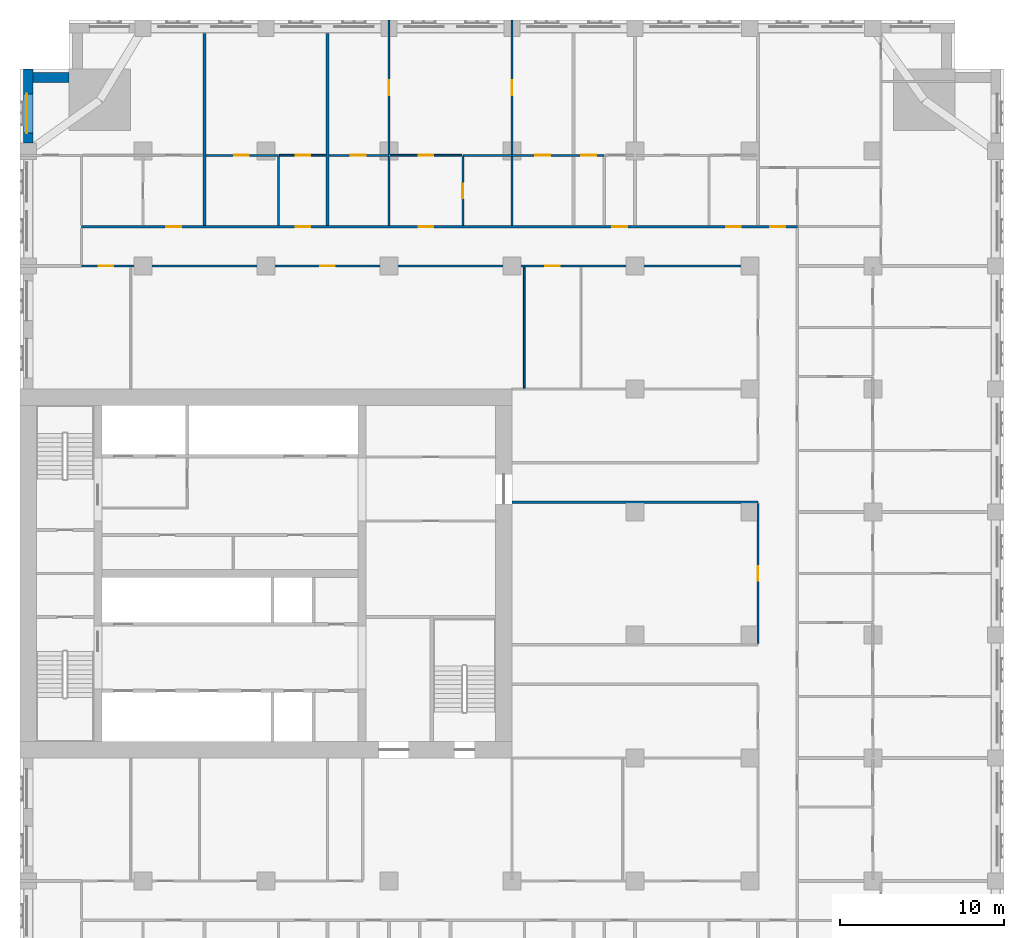
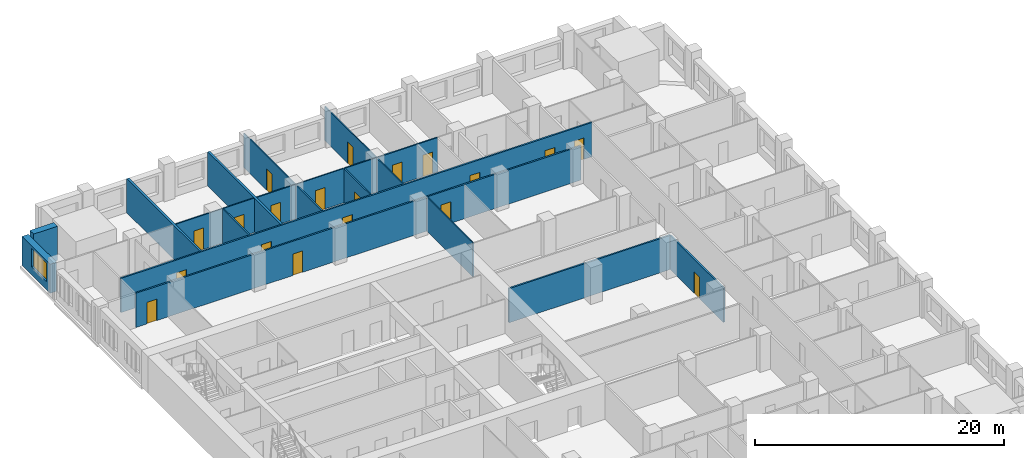
# One storey, part 9 of 14: 20 walls, 19 doors, 1 window, 20 openings.
"""IFC4 building model written with IfcOpenShell, lengths in metres."""

import ifcopenshell
import ifcopenshell.guid

model = None  # the IFC model being written
_history = None  # IfcOwnerHistory: only IFC2X3 demands one
_inside = {}  # id of a spatial element -> (the spatial element, [elements in it])
_under = {}  # id of a project, library or spatial element -> (it, [spatial elements below it])
_declared = {}  # id of a project -> (the project, [libraries it declares])
_typed = {}  # id of a type object -> (the type object, [elements of that type])
_made_of = {}  # id of a material, layer set ... -> (it, [elements and type objects made of it])


def new_model(schema):
    """Start an empty IFC model of exactly this schema.

    Asked for "IFC4X3", IfcOpenShell would pick the latest addendum, in which some entities
    have other attributes; the version numbers below select the first issue.
    IFC2X3 requires an IfcOwnerHistory on every rooted entity: one is made here for all.
    """
    global model, _history
    if schema == "IFC4X3":
        model = ifcopenshell.file(schema_version=(4, 3, 0, 0))
    else:
        model = ifcopenshell.file(schema=schema)
    _inside.clear()
    _under.clear()
    _declared.clear()
    _typed.clear()
    _made_of.clear()
    _history = None
    if model.schema == "IFC2X3":
        org = make("IfcOrganization", Name="unknown")
        user = make(
            "IfcPersonAndOrganization",
            ThePerson=make("IfcPerson", FamilyName="unknown"),
            TheOrganization=org,
        )
        app = make(
            "IfcApplication",
            ApplicationDeveloper=org,
            Version="unknown",
            ApplicationFullName="unknown",
            ApplicationIdentifier="unknown",
        )
        _history = make(
            "IfcOwnerHistory",
            OwningUser=user,
            OwningApplication=app,
            ChangeAction="ADDED",
            CreationDate=0,
        )
    return model


def make(cls, **values):
    """One entity of the class cls with the attributes given. An attribute that is None is left unset."""
    return model.create_entity(
        cls, **{name: value for name, value in values.items() if value is not None}
    )


def rooted(cls, **values):
    """An entity with a GlobalId (a new one), such as an element, a storey or a relation."""
    return make(cls, GlobalId=ifcopenshell.guid.new(), OwnerHistory=_history, **values)


def si_unit(unit_type, name, prefix=None):
    """IfcSIUnit, for example si_unit("LENGTHUNIT", "METRE", prefix="MILLI")."""
    return make("IfcSIUnit", UnitType=unit_type, Prefix=prefix, Name=name)


def assignment(units):
    """IfcUnitAssignment: the units of a project."""
    return None if units is None else make("IfcUnitAssignment", Units=units)


def point(xyz):
    """IfcCartesianPoint."""
    return None if xyz is None else make("IfcCartesianPoint", Coordinates=xyz)


def direction(xyz):
    """IfcDirection."""
    return None if xyz is None else make("IfcDirection", DirectionRatios=xyz)


def frame(location, z_axis=None, x_axis=None):
    """IfcAxis2Placement3D, a coordinate frame: its origin and axes. An axis left out is left unset."""
    return make(
        "IfcAxis2Placement3D",
        Location=point(location),
        Axis=direction(z_axis),
        RefDirection=direction(x_axis),
    )


def frame_2d(location, x_axis=None):
    """IfcAxis2Placement2D, a coordinate frame in the plane: its origin and x axis."""
    return make(
        "IfcAxis2Placement2D", Location=point(location), RefDirection=direction(x_axis)
    )


def origin():
    """The frame at (0, 0, 0) with its axes left unset."""
    return frame((0.0, 0.0, 0.0))


def place(relative_to, where):
    """IfcLocalPlacement: puts the frame where relative to a parent placement (None: the world)."""
    return make(
        "IfcLocalPlacement", PlacementRelTo=relative_to, RelativePlacement=where
    )


def context(
    kind, dimensions, precision=None, world=None, true_north=None, identifier=None
):
    """IfcGeometricRepresentationContext, for example the 3D "Model" context."""
    return make(
        "IfcGeometricRepresentationContext",
        ContextIdentifier=identifier,
        ContextType=kind,
        CoordinateSpaceDimension=dimensions,
        Precision=precision,
        WorldCoordinateSystem=world,
        TrueNorth=true_north,
    )


def subcontext(parent, identifier, kind, view, scale=None):
    """IfcGeometricRepresentationSubContext, for example "Body" below "Model"."""
    return make(
        "IfcGeometricRepresentationSubContext",
        ContextIdentifier=identifier,
        ContextType=kind,
        ParentContext=parent,
        TargetScale=scale,
        TargetView=view,
    )


def project(units=None, contexts=None):
    """IfcProject with its units and contexts."""
    return rooted(
        "IfcProject",
        Name="project",
        RepresentationContexts=contexts,
        UnitsInContext=assignment(units),
    )


def spatial(cls, under=None, at=None, **own):
    """A site, building, storey or space (cls), placed at a placement, below another one or the project."""
    s = rooted(cls, ObjectPlacement=at, **own)
    if under is not None:
        _under.setdefault(under.id(), (under, []))[1].append(s)
    return s


def profile(cls, at=None, kind="AREA", **sizes):
    """A parametric profile (cls). Its sizes go by their IFC names, for example OverallWidth=200.0."""
    return make(cls, ProfileType=kind, Position=at, **sizes)


def rectangle(**sizes):
    """IfcRectangleProfileDef."""
    return profile("IfcRectangleProfileDef", **sizes)


def extrude(swept, where, along, depth):
    """IfcExtrudedAreaSolid: the profile swept, set in the frame where, extruded along a direction by depth."""
    return make(
        "IfcExtrudedAreaSolid",
        SweptArea=swept,
        Position=where,
        ExtrudedDirection=direction(along),
        Depth=depth,
    )


def shape(context_of_items, identifier, shape_type, items):
    """IfcShapeRepresentation: the items that make up one representation, for example the "Body"."""
    return make(
        "IfcShapeRepresentation",
        ContextOfItems=context_of_items,
        RepresentationIdentifier=identifier,
        RepresentationType=shape_type,
        Items=items,
    )


def material(Name=None, Category=None):
    """IfcMaterial."""
    return make("IfcMaterial", Name=Name, Category=Category)


def layer(
    of_material, thickness, ventilated=None, Name=None, Category=None, Priority=None
):
    """IfcMaterialLayer: one layer of a wall or slab, of a material (None: an air gap)."""
    return make(
        "IfcMaterialLayer",
        Material=of_material,
        LayerThickness=thickness,
        IsVentilated=ventilated,
        Name=Name,
        Category=Category,
        Priority=Priority,
    )


def layer_set(layers, Name=None):
    """IfcMaterialLayerSet."""
    return make("IfcMaterialLayerSet", MaterialLayers=layers, LayerSetName=Name)


def made_of(thing, what):
    """Note that an element or type object is made of a material, layer set ...; save() writes the relation."""
    if what is not None:
        _made_of.setdefault(what.id(), (what, []))[1].append(thing)
    return thing


def type_object(cls, material=None, **own):
    """A type object (cls), such as IfcWallType, which elements share."""
    return made_of(rooted(cls, **own), material)


def element(
    cls,
    number,
    at=None,
    inside=None,
    cuts=None,
    type_object=None,
    material=None,
    context=None,
    identifier="Body",
    shape_type=None,
    held_by="IfcProductDefinitionShape",
    body=None,
    shapes=None,
    **own,
):
    """One element of the class cls, such as IfcWall. Its Tag is "e" and its number.

    at: its placement. inside: the storey or other place that contains it. cuts: it is an
    opening in that element (IfcRelVoidsElement). A single representation is given by context,
    identifier, shape_type and body (its items); several are given by shapes. held_by: the class
    of the entity that holds the representations. save() writes the other relations.
    """
    e = rooted(cls, Tag="e%d" % number, ObjectPlacement=at, **own)
    if body is not None:
        shapes = [shape(context, identifier, shape_type, body)]
    if shapes is not None:
        e.Representation = make(held_by, Representations=shapes)
    if inside is not None:
        _inside.setdefault(inside.id(), (inside, []))[1].append(e)
    if cuts is not None:
        rooted(
            "IfcRelVoidsElement", RelatingBuildingElement=cuts, RelatedOpeningElement=e
        )
    if type_object is not None:
        _typed.setdefault(type_object.id(), (type_object, []))[1].append(e)
    return made_of(e, material)


def fill(opening, filler):
    """IfcRelFillsElement: the door or window that sits in an opening."""
    return rooted(
        "IfcRelFillsElement",
        RelatingOpeningElement=opening,
        RelatedBuildingElement=filler,
    )


def aggregate(whole, parts):
    """IfcRelAggregates: a whole, such as a stair, and the parts it consists of."""
    return rooted("IfcRelAggregates", RelatingObject=whole, RelatedObjects=parts)


def save(model, path):
    """Write the relations noted so far, then the file.

    IfcRelAggregates (storeys below a building ...), IfcRelContainedInSpatialStructure (elements
    in a storey), IfcRelDefinesByType, IfcRelAssociatesMaterial and IfcRelDeclares: one each for
    every whole, place, type object, material and project.
    """
    for whole, parts in _under.values():
        aggregate(whole, parts)
    for where, things in _inside.values():
        rooted(
            "IfcRelContainedInSpatialStructure",
            RelatedElements=things,
            RelatingStructure=where,
        )
    for kind, things in _typed.values():
        rooted("IfcRelDefinesByType", RelatedObjects=things, RelatingType=kind)
    for what, things in _made_of.values():
        rooted("IfcRelAssociatesMaterial", RelatedObjects=things, RelatingMaterial=what)
    for by, libraries in _declared.values():
        rooted("IfcRelDeclares", RelatingContext=by, RelatedDefinitions=libraries)
    model.write(path)


model = new_model("IFC4")

# Units and contexts
model_context = context("Model", 3, precision=1e-05, world=origin(), true_north=direction((0.0, 1.0)))
body_context = subcontext(model_context, "Body", "Model", "MODEL_VIEW")
ifc_project = project(units=[si_unit("LENGTHUNIT", "METRE"), si_unit("AREAUNIT", "SQUARE_METRE"), si_unit("VOLUMEUNIT", "CUBIC_METRE"), si_unit("PLANEANGLEUNIT", "RADIAN"), si_unit("MASSUNIT", "GRAM", prefix="KILO")], contexts=[model_context])

# Site, building, storey
site_placement = place(None, origin())
site = spatial("IfcSite", under=ifc_project, at=site_placement, CompositionType="ELEMENT")
building_placement = place(site_placement, origin())
building = spatial("IfcBuilding", under=site, at=building_placement, Name="Tamorin Gate", CompositionType="ELEMENT")
storey_placement = place(building_placement, frame((0.0, 0.0, 89.89990234375)))
storey = spatial("IfcBuildingStorey", under=building, at=storey_placement, Name="L21", CompositionType="ELEMENT", Elevation=89.89990234375)

# Wall
ifc_material_1 = material(Name="Precast concrete C40/50", Category="concrete")
ifc_layer_1 = layer(ifc_material_1, 0.60009765625)
ifc_layer_set_1 = layer_set([ifc_layer_1], Name="Precast concrete C40/50")
wall_type_1 = type_object("IfcWallType", Name="Board-marked concrete facade panel 600", PredefinedType="SOLIDWALL", material=ifc_layer_set_1)
wall_1_placement = place(storey_placement, frame((33.0, 101.5, 0.0), z_axis=(0.0, 0.0, 1.0), x_axis=(-1.0, 0.0, 0.0)))
element("IfcWall", 1, at=wall_1_placement, inside=storey, type_object=wall_type_1, Name="Facade panel", PredefinedType="SOLIDWALL", context=body_context, shape_type="SweptSolid", body=[
    extrude(rectangle(XDim=2.199951171875, YDim=0.60009765625, at=frame_2d((1.10009765625, 0.0))), origin(), (0.0, 0.0, 1.0), 3.35009765625),
])

# Wall, opening, window
wall_2_placement = place(storey_placement, frame((30.5, 102.0, 0.0), z_axis=(0.0, 0.0, 1.0), x_axis=(0.0, -1.0, 0.0)))
wall_2 = element("IfcWall", 2, at=wall_2_placement, inside=storey, type_object=wall_type_1, Name="Facade panel", PredefinedType="SOLIDWALL", context=body_context, shape_type="SweptSolid", body=[
    extrude(rectangle(XDim=4.5, YDim=0.60009765625, at=frame_2d((2.25, 0.0))), origin(), (0.0, 0.0, 1.0), 2.85009765625),
])
opening_1_placement = place(wall_2_placement, frame((1.5, 0.0, 0.800048828125)))
opening_1 = element("IfcOpeningElement", 3, at=opening_1_placement, cuts=wall_2, Name="Opening WN1", PredefinedType="OPENING", context=body_context, shape_type="SweptSolid", body=[
    extrude(rectangle(XDim=2.39990234375, YDim=1.800048828125, at=frame_2d((1.199951171875, 0.89990234375))), frame((0.0, 0.31005859375, 0.0), z_axis=(0.0, -1.0, 0.0), x_axis=(1.0, 0.0, 0.0)), (0.0, 0.0, 1.0), 0.6201171875),
])
ifc_material_2 = material(Name="Clear glass in aluminium frame", Category="aluminium")
window_type = type_object("IfcWindowType", Name="Deep-set window 2400x1800", PartitioningType="SINGLE_PANEL", PredefinedType="WINDOW", material=ifc_material_2)
window_placement = place(opening_1_placement, origin())
window = element("IfcWindow", 4, at=window_placement, inside=storey, type_object=window_type, Name="Deep-set window", OverallHeight=1.800048828125, OverallWidth=2.39990234375, PartitioningType="SINGLE_PANEL", PredefinedType="WINDOW", context=body_context, shape_type="SweptSolid", body=[
    extrude(rectangle(XDim=2.39990234375, YDim=1.800048828125, at=frame_2d((1.199951171875, 0.89990234375))), frame((0.0, -0.070068359375, 0.0), z_axis=(0.0, -1.0, 0.0), x_axis=(1.0, 0.0, 0.0)), (0.0, 0.0, 1.0), 0.06005859375),
])
fill(opening_1, window)

# Wall, openings, doors
ifc_material_3 = material(Name="Gypsum board partition")
ifc_layer_2 = layer(ifc_material_3, 0.14990234375)
ifc_layer_set_2 = layer_set([ifc_layer_2], Name="Corridor wall 150")
wall_type_2 = type_object("IfcWallType", Name="Corridor wall 150", PredefinedType="PARTITIONING", material=ifc_layer_set_2)
wall_3_placement = place(storey_placement, frame((33.75, 90.0, 0.0), z_axis=(0.0, 0.0, 1.0), x_axis=(1.0, 0.0, 0.0)))
wall_3 = element("IfcWall", 5, at=wall_3_placement, inside=storey, type_object=wall_type_2, Name="Corridor wall 150", PredefinedType="PARTITIONING", context=body_context, shape_type="SweptSolid", body=[
    extrude(rectangle(XDim=41.25, YDim=0.14990234375, at=frame_2d((20.625, 0.0))), origin(), (0.0, 0.0, 1.0), 3.35009765625),
])
opening_2_placement = place(wall_3_placement, frame((1.050048828125, 0.0, 0.0)))
opening_2 = element("IfcOpeningElement", 6, at=opening_2_placement, cuts=wall_3, Name="Opening DH8078", PredefinedType="OPENING", context=body_context, shape_type="SweptSolid", body=[
    extrude(rectangle(XDim=0.89990234375, YDim=2.10009765625, at=frame_2d((0.449951171875, 1.050048828125))), frame((0.0, 0.0849609375, 0.0), z_axis=(0.0, -1.0, 0.0), x_axis=(1.0, 0.0, 0.0)), (0.0, 0.0, 1.0), 0.169921875),
])
opening_3_placement = place(wall_3_placement, frame((14.550048828125, 0.0, 0.0)))
opening_3 = element("IfcOpeningElement", 7, at=opening_3_placement, cuts=wall_3, Name="Opening DH8079", PredefinedType="OPENING", context=body_context, shape_type="SweptSolid", body=[
    extrude(rectangle(XDim=0.89990234375, YDim=2.10009765625, at=frame_2d((0.449951171875, 1.050048828125))), frame((0.0, 0.0849609375, 0.0), z_axis=(0.0, -1.0, 0.0), x_axis=(1.0, 0.0, 0.0)), (0.0, 0.0, 1.0), 0.169921875),
])
opening_4_placement = place(wall_3_placement, frame((28.27490234375, 0.0, 0.0)))
opening_4 = element("IfcOpeningElement", 8, at=opening_4_placement, cuts=wall_3, Name="Opening DH8080", PredefinedType="OPENING", context=body_context, shape_type="SweptSolid", body=[
    extrude(rectangle(XDim=0.89990234375, YDim=2.10009765625, at=frame_2d((0.449951171875, 1.050048828125))), frame((0.0, 0.0849609375, 0.0), z_axis=(0.0, -1.0, 0.0), x_axis=(1.0, 0.0, 0.0)), (0.0, 0.0, 1.0), 0.169921875),
])
ifc_material_4 = material(Name="Timber door leaf", Category="wood")
door_type_1 = type_object("IfcDoorType", Name="Door 900 x 2100 FD30S", OperationType="NOTDEFINED", PredefinedType="DOOR", material=ifc_material_4)
door_1_placement = place(opening_2_placement, origin())
door_1 = element("IfcDoor", 9, at=door_1_placement, inside=storey, type_object=door_type_1, Name="Door DH8078", OperationType="SINGLE_SWING_RIGHT", OverallHeight=2.10009765625, OverallWidth=0.89990234375, PredefinedType="DOOR", context=body_context, shape_type="SweptSolid", body=[
    extrude(rectangle(XDim=0.89990234375, YDim=2.10009765625, at=frame_2d((0.449951171875, 1.050048828125))), frame((0.0, 0.02490234375, 0.0), z_axis=(0.0, -1.0, 0.0), x_axis=(1.0, 0.0, 0.0)), (0.0, 0.0, 1.0), 0.050048828125),
])
fill(opening_2, door_1)
door_2_placement = place(opening_3_placement, origin())
door_2 = element("IfcDoor", 10, at=door_2_placement, inside=storey, type_object=door_type_1, Name="Door DH8079", OperationType="SINGLE_SWING_RIGHT", OverallHeight=2.10009765625, OverallWidth=0.89990234375, PredefinedType="DOOR", context=body_context, shape_type="SweptSolid", body=[
    extrude(rectangle(XDim=0.89990234375, YDim=2.10009765625, at=frame_2d((0.449951171875, 1.050048828125))), frame((0.0, 0.02490234375, 0.0), z_axis=(0.0, -1.0, 0.0), x_axis=(1.0, 0.0, 0.0)), (0.0, 0.0, 1.0), 0.050048828125),
])
fill(opening_3, door_2)
door_3_placement = place(opening_4_placement, origin())
door_3 = element("IfcDoor", 11, at=door_3_placement, inside=storey, type_object=door_type_1, Name="Door DH8080", OperationType="SINGLE_SWING_RIGHT", OverallHeight=2.10009765625, OverallWidth=0.89990234375, PredefinedType="DOOR", context=body_context, shape_type="SweptSolid", body=[
    extrude(rectangle(XDim=0.89990234375, YDim=2.10009765625, at=frame_2d((0.449951171875, 1.050048828125))), frame((0.0, 0.02490234375, 0.0), z_axis=(0.0, -1.0, 0.0), x_axis=(1.0, 0.0, 0.0)), (0.0, 0.0, 1.0), 0.050048828125),
])
fill(opening_4, door_3)

wall_4_placement = place(storey_placement, frame((33.75, 92.39990234375, 0.0), z_axis=(0.0, 0.0, 1.0), x_axis=(1.0, 0.0, 0.0)))
wall_4 = element("IfcWall", 12, at=wall_4_placement, inside=storey, type_object=wall_type_2, Name="Corridor wall 150", PredefinedType="PARTITIONING", context=body_context, shape_type="SweptSolid", body=[
    extrude(rectangle(XDim=43.64990234375, YDim=0.14990234375, at=frame_2d((21.824951171875, 0.0))), origin(), (0.0, 0.0, 1.0), 3.35009765625),
])
opening_5_placement = place(wall_4_placement, frame((5.175048828125, 0.0, 0.0)))
opening_5 = element("IfcOpeningElement", 13, at=opening_5_placement, cuts=wall_4, Name="Opening DH8025", PredefinedType="OPENING", context=body_context, shape_type="SweptSolid", body=[
    extrude(rectangle(XDim=0.89990234375, YDim=2.10009765625, at=frame_2d((0.449951171875, 1.050048828125))), frame((0.0, 0.0849609375, 0.0), z_axis=(0.0, -1.0, 0.0), x_axis=(1.0, 0.0, 0.0)), (0.0, 0.0, 1.0), 0.169921875),
])
opening_6_placement = place(wall_4_placement, frame((13.050048828125, 0.0, 0.0)))
opening_6 = element("IfcOpeningElement", 14, at=opening_6_placement, cuts=wall_4, Name="Opening DH8028", PredefinedType="OPENING", context=body_context, shape_type="SweptSolid", body=[
    extrude(rectangle(XDim=0.89990234375, YDim=2.10009765625, at=frame_2d((0.449951171875, 1.050048828125))), frame((0.0, 0.0849609375, 0.0), z_axis=(0.0, -1.0, 0.0), x_axis=(1.0, 0.0, 0.0)), (0.0, 0.0, 1.0), 0.169921875),
])
opening_7_placement = place(wall_4_placement, frame((20.550048828125, 0.0, 0.0)))
opening_7 = element("IfcOpeningElement", 15, at=opening_7_placement, cuts=wall_4, Name="Opening DH8031", PredefinedType="OPENING", context=body_context, shape_type="SweptSolid", body=[
    extrude(rectangle(XDim=0.89990234375, YDim=2.10009765625, at=frame_2d((0.449951171875, 1.050048828125))), frame((0.0, 0.0849609375, 0.0), z_axis=(0.0, -1.0, 0.0), x_axis=(1.0, 0.0, 0.0)), (0.0, 0.0, 1.0), 0.169921875),
])
opening_8_placement = place(wall_4_placement, frame((32.362548828125, 0.0, 0.0)))
opening_8 = element("IfcOpeningElement", 16, at=opening_8_placement, cuts=wall_4, Name="Opening DH8038", PredefinedType="OPENING", context=body_context, shape_type="SweptSolid", body=[
    extrude(rectangle(XDim=0.89990234375, YDim=2.10009765625, at=frame_2d((0.449951171875, 1.050048828125))), frame((0.0, 0.0849609375, 0.0), z_axis=(0.0, -1.0, 0.0), x_axis=(1.0, 0.0, 0.0)), (0.0, 0.0, 1.0), 0.169921875),
])
opening_9_placement = place(wall_4_placement, frame((39.300048828125, 0.0, 0.0)))
opening_9 = element("IfcOpeningElement", 17, at=opening_9_placement, cuts=wall_4, Name="Opening DH8041", PredefinedType="OPENING", context=body_context, shape_type="SweptSolid", body=[
    extrude(rectangle(XDim=0.89990234375, YDim=2.10009765625, at=frame_2d((0.449951171875, 1.050048828125))), frame((0.0, 0.0849609375, 0.0), z_axis=(0.0, -1.0, 0.0), x_axis=(1.0, 0.0, 0.0)), (0.0, 0.0, 1.0), 0.169921875),
])
opening_10_placement = place(wall_4_placement, frame((42.0, 0.0, 0.0)))
opening_10 = element("IfcOpeningElement", 18, at=opening_10_placement, cuts=wall_4, Name="Opening DH8066", PredefinedType="OPENING", context=body_context, shape_type="SweptSolid", body=[
    extrude(rectangle(XDim=0.89990234375, YDim=2.10009765625, at=frame_2d((0.449951171875, 1.050048828125))), frame((0.0, 0.0849609375, 0.0), z_axis=(0.0, -1.0, 0.0), x_axis=(1.0, 0.0, 0.0)), (0.0, 0.0, 1.0), 0.169921875),
])
door_4_placement = place(opening_5_placement, origin())
door_4 = element("IfcDoor", 19, at=door_4_placement, inside=storey, type_object=door_type_1, Name="Door DH8025", OperationType="SINGLE_SWING_LEFT", OverallHeight=2.10009765625, OverallWidth=0.89990234375, PredefinedType="DOOR", context=body_context, shape_type="SweptSolid", body=[
    extrude(rectangle(XDim=0.89990234375, YDim=2.10009765625, at=frame_2d((0.449951171875, 1.050048828125))), frame((0.0, 0.02490234375, 0.0), z_axis=(0.0, -1.0, 0.0), x_axis=(1.0, 0.0, 0.0)), (0.0, 0.0, 1.0), 0.050048828125),
])
fill(opening_5, door_4)
door_5_placement = place(opening_6_placement, origin())
door_5 = element("IfcDoor", 20, at=door_5_placement, inside=storey, type_object=door_type_1, Name="Door DH8028", OperationType="SINGLE_SWING_LEFT", OverallHeight=2.10009765625, OverallWidth=0.89990234375, PredefinedType="DOOR", context=body_context, shape_type="SweptSolid", body=[
    extrude(rectangle(XDim=0.89990234375, YDim=2.10009765625, at=frame_2d((0.449951171875, 1.050048828125))), frame((0.0, 0.02490234375, 0.0), z_axis=(0.0, -1.0, 0.0), x_axis=(1.0, 0.0, 0.0)), (0.0, 0.0, 1.0), 0.050048828125),
])
fill(opening_6, door_5)
door_6_placement = place(opening_7_placement, origin())
door_6 = element("IfcDoor", 21, at=door_6_placement, inside=storey, type_object=door_type_1, Name="Door DH8031", OperationType="SINGLE_SWING_LEFT", OverallHeight=2.10009765625, OverallWidth=0.89990234375, PredefinedType="DOOR", context=body_context, shape_type="SweptSolid", body=[
    extrude(rectangle(XDim=0.89990234375, YDim=2.10009765625, at=frame_2d((0.449951171875, 1.050048828125))), frame((0.0, 0.02490234375, 0.0), z_axis=(0.0, -1.0, 0.0), x_axis=(1.0, 0.0, 0.0)), (0.0, 0.0, 1.0), 0.050048828125),
])
fill(opening_7, door_6)
door_7_placement = place(opening_8_placement, origin())
door_7 = element("IfcDoor", 22, at=door_7_placement, inside=storey, type_object=door_type_1, Name="Door DH8038", OperationType="SINGLE_SWING_LEFT", OverallHeight=2.10009765625, OverallWidth=0.89990234375, PredefinedType="DOOR", context=body_context, shape_type="SweptSolid", body=[
    extrude(rectangle(XDim=0.89990234375, YDim=2.10009765625, at=frame_2d((0.449951171875, 1.050048828125))), frame((0.0, 0.02490234375, 0.0), z_axis=(0.0, -1.0, 0.0), x_axis=(1.0, 0.0, 0.0)), (0.0, 0.0, 1.0), 0.050048828125),
])
fill(opening_8, door_7)
door_8_placement = place(opening_9_placement, origin())
door_8 = element("IfcDoor", 23, at=door_8_placement, inside=storey, type_object=door_type_1, Name="Door DH8041", OperationType="SINGLE_SWING_LEFT", OverallHeight=2.10009765625, OverallWidth=0.89990234375, PredefinedType="DOOR", context=body_context, shape_type="SweptSolid", body=[
    extrude(rectangle(XDim=0.89990234375, YDim=2.10009765625, at=frame_2d((0.449951171875, 1.050048828125))), frame((0.0, 0.02490234375, 0.0), z_axis=(0.0, -1.0, 0.0), x_axis=(1.0, 0.0, 0.0)), (0.0, 0.0, 1.0), 0.050048828125),
])
fill(opening_9, door_8)
door_9_placement = place(opening_10_placement, origin())
door_9 = element("IfcDoor", 24, at=door_9_placement, inside=storey, type_object=door_type_1, Name="Door DH8066", OperationType="SINGLE_SWING_RIGHT", OverallHeight=2.10009765625, OverallWidth=0.89990234375, PredefinedType="DOOR", context=body_context, shape_type="SweptSolid", body=[
    extrude(rectangle(XDim=0.89990234375, YDim=2.10009765625, at=frame_2d((0.449951171875, 1.050048828125))), frame((0.0, 0.02490234375, 0.0), z_axis=(0.0, -1.0, 0.0), x_axis=(1.0, 0.0, 0.0)), (0.0, 0.0, 1.0), 0.050048828125),
])
fill(opening_10, door_9)

# Wall, opening, door
wall_5_placement = place(storey_placement, frame((75.0, 66.97509765625, 0.0), z_axis=(0.0, 0.0, 1.0), x_axis=(0.0, 1.0, 0.0)))
wall_5 = element("IfcWall", 25, at=wall_5_placement, inside=storey, type_object=wall_type_2, Name="Corridor wall 150", PredefinedType="PARTITIONING", context=body_context, shape_type="SweptSolid", body=[
    extrude(rectangle(XDim=8.5498046875, YDim=0.14990234375, at=frame_2d((4.27490234375, 0.0))), origin(), (0.0, 0.0, 1.0), 3.35009765625),
])
opening_11_placement = place(wall_5_placement, frame((3.824951171875, 0.0, 0.0)))
opening_11 = element("IfcOpeningElement", 26, at=opening_11_placement, cuts=wall_5, Name="Opening DH8083", PredefinedType="OPENING", context=body_context, shape_type="SweptSolid", body=[
    extrude(rectangle(XDim=0.89990234375, YDim=2.10009765625, at=frame_2d((0.449951171875, 1.050048828125))), frame((0.0, 0.0849609375, 0.0), z_axis=(0.0, -1.0, 0.0), x_axis=(1.0, 0.0, 0.0)), (0.0, 0.0, 1.0), 0.169921875),
])
door_10_placement = place(opening_11_placement, origin())
door_10 = element("IfcDoor", 27, at=door_10_placement, inside=storey, type_object=door_type_1, Name="Door DH8083", OperationType="SINGLE_SWING_LEFT", OverallHeight=2.10009765625, OverallWidth=0.89990234375, PredefinedType="DOOR", context=body_context, shape_type="SweptSolid", body=[
    extrude(rectangle(XDim=0.89990234375, YDim=2.10009765625, at=frame_2d((0.449951171875, 1.050048828125))), frame((0.0, 0.02490234375, 0.0), z_axis=(0.0, -1.0, 0.0), x_axis=(1.0, 0.0, 0.0)), (0.0, 0.0, 1.0), 0.050048828125),
])
fill(opening_11, door_10)

# Walls
ifc_layer_3 = layer(ifc_material_3, 0.199951171875)
ifc_layer_set_3 = layer_set([ifc_layer_3], Name="Demising wall 200")
wall_type_3 = type_object("IfcWallType", Name="Demising wall 200", PredefinedType="PARTITIONING", material=ifc_layer_set_3)
for number, where, z_axis, x_axis, name in (
    (28, (41.25, 92.47509765625, 0.0), (0.0, 0.0, 1.0), (0.0, 1.0, 0.0), "Demising wall 200"),
    (29, (48.75, 92.47509765625, 0.0), (0.0, 0.0, 1.0), (0.0, 1.0, 0.0), "Demising wall 200"),
):
    element("IfcWall", number, at=place(storey_placement, frame(where, z_axis=z_axis, x_axis=x_axis)), inside=storey, type_object=wall_type_3, Name=name, PredefinedType="PARTITIONING", context=body_context, shape_type="SweptSolid", body=[
        extrude(rectangle(XDim=11.71484375, YDim=0.199951171875, at=frame_2d((5.857421875, 0.0))), origin(), (0.0, 0.0, 1.0), 3.35009765625),
    ])
ifc_layer_4 = layer(ifc_material_3, 0.14990234375)
ifc_layer_set_4 = layer_set([ifc_layer_4], Name="Lobby wall 150")
wall_type_4 = type_object("IfcWallType", Name="Lobby wall 150", PredefinedType="PARTITIONING", material=ifc_layer_set_4)
wall_6_placement = place(storey_placement, frame((60.0, 75.60009765625, 0.0), z_axis=(0.0, 0.0, 1.0), x_axis=(1.0, 0.0, 0.0)))
element("IfcWall", 30, at=wall_6_placement, inside=storey, type_object=wall_type_4, Name="Lobby wall 150", PredefinedType="PARTITIONING", context=body_context, shape_type="SweptSolid", body=[
    extrude(rectangle(XDim=15.0, YDim=0.14990234375, at=frame_2d((7.5, 0.0))), origin(), (0.0, 0.0, 1.0), 3.35009765625),
])

# Wall, opening, door
ifc_layer_5 = layer(ifc_material_3, 0.10009765625)
ifc_layer_set_5 = layer_set([ifc_layer_5], Name="Room partition 100")
wall_type_5 = type_object("IfcWallType", Name="Room partition 100", PredefinedType="PARTITIONING", material=ifc_layer_set_5)
wall_7_placement = place(storey_placement, frame((45.8125, 96.75, 0.0), z_axis=(0.0, 0.0, 1.0), x_axis=(1.0, 0.0, 0.0)))
wall_7 = element("IfcWall", 31, at=wall_7_placement, inside=storey, type_object=wall_type_5, Name="Room partition 100", PredefinedType="PARTITIONING", context=body_context, shape_type="SweptSolid", body=[
    extrude(rectangle(XDim=2.83740234375, YDim=0.10009765625, at=frame_2d((1.418701171875, 0.0))), origin(), (0.0, 0.0, 1.0), 3.35009765625),
])
opening_12_placement = place(wall_7_placement, frame((0.987548828125, 0.0, 0.0)))
opening_12 = element("IfcOpeningElement", 32, at=opening_12_placement, cuts=wall_7, Name="Opening DH8029", PredefinedType="OPENING", context=body_context, shape_type="SweptSolid", body=[
    extrude(rectangle(XDim=0.89990234375, YDim=2.10009765625, at=frame_2d((0.449951171875, 1.050048828125))), frame((0.0, 0.06005859375, 0.0), z_axis=(0.0, -1.0, 0.0), x_axis=(1.0, 0.0, 0.0)), (0.0, 0.0, 1.0), 0.1201171875),
])
door_type_2 = type_object("IfcDoorType", Name="Door 900 x 2100", OperationType="NOTDEFINED", PredefinedType="DOOR", material=ifc_material_4)
door_11_placement = place(opening_12_placement, origin())
door_11 = element("IfcDoor", 33, at=door_11_placement, inside=storey, type_object=door_type_2, Name="Door DH8029", OperationType="SINGLE_SWING_RIGHT", OverallHeight=2.10009765625, OverallWidth=0.89990234375, PredefinedType="DOOR", context=body_context, shape_type="SweptSolid", body=[
    extrude(rectangle(XDim=0.89990234375, YDim=2.10009765625, at=frame_2d((0.449951171875, 1.050048828125))), frame((0.0, 0.02490234375, 0.0), z_axis=(0.0, -1.0, 0.0), x_axis=(1.0, 0.0, 0.0)), (0.0, 0.0, 1.0), 0.050048828125),
])
fill(opening_12, door_11)

wall_8_placement = place(storey_placement, frame((52.5625, 96.75, 0.0), z_axis=(0.0, 0.0, 1.0), x_axis=(1.0, 0.0, 0.0)))
wall_8 = element("IfcWall", 34, at=wall_8_placement, inside=storey, type_object=wall_type_5, Name="Room partition 100", PredefinedType="PARTITIONING", context=body_context, shape_type="SweptSolid", body=[
    extrude(rectangle(XDim=4.375, YDim=0.10009765625, at=frame_2d((2.1875, 0.0))), origin(), (0.0, 0.0, 1.0), 3.35009765625),
])
opening_13_placement = place(wall_8_placement, frame((1.737548828125, 0.0, 0.0)))
opening_13 = element("IfcOpeningElement", 35, at=opening_13_placement, cuts=wall_8, Name="Opening DH8032", PredefinedType="OPENING", context=body_context, shape_type="SweptSolid", body=[
    extrude(rectangle(XDim=0.89990234375, YDim=2.10009765625, at=frame_2d((0.449951171875, 1.050048828125))), frame((0.0, 0.06005859375, 0.0), z_axis=(0.0, -1.0, 0.0), x_axis=(1.0, 0.0, 0.0)), (0.0, 0.0, 1.0), 0.1201171875),
])
door_12_placement = place(opening_13_placement, origin())
door_12 = element("IfcDoor", 36, at=door_12_placement, inside=storey, type_object=door_type_2, Name="Door DH8032", OperationType="SINGLE_SWING_RIGHT", OverallHeight=2.10009765625, OverallWidth=0.89990234375, PredefinedType="DOOR", context=body_context, shape_type="SweptSolid", body=[
    extrude(rectangle(XDim=0.89990234375, YDim=2.10009765625, at=frame_2d((0.449951171875, 1.050048828125))), frame((0.0, 0.02490234375, 0.0), z_axis=(0.0, -1.0, 0.0), x_axis=(1.0, 0.0, 0.0)), (0.0, 0.0, 1.0), 0.050048828125),
])
fill(opening_13, door_12)

wall_9_placement = place(storey_placement, frame((52.5, 96.8125, 0.0), z_axis=(0.0, 0.0, 1.0), x_axis=(0.0, 1.0, 0.0)))
wall_9 = element("IfcWall", 37, at=wall_9_placement, inside=storey, type_object=wall_type_5, Name="Room partition 100", PredefinedType="PARTITIONING", context=body_context, shape_type="SweptSolid", body=[
    extrude(rectangle(XDim=8.1875, YDim=0.10009765625, at=frame_2d((4.09375, 0.0))), origin(), (0.0, 0.0, 1.0), 3.35009765625),
])
opening_14_placement = place(wall_9_placement, frame((3.612548828125, 0.0, 0.0)))
opening_14 = element("IfcOpeningElement", 38, at=opening_14_placement, cuts=wall_9, Name="Opening DH8035", PredefinedType="OPENING", context=body_context, shape_type="SweptSolid", body=[
    extrude(rectangle(XDim=0.89990234375, YDim=2.10009765625, at=frame_2d((0.449951171875, 1.050048828125))), frame((0.0, 0.06005859375, 0.0), z_axis=(0.0, -1.0, 0.0), x_axis=(1.0, 0.0, 0.0)), (0.0, 0.0, 1.0), 0.1201171875),
])
door_13_placement = place(opening_14_placement, origin())
door_13 = element("IfcDoor", 39, at=door_13_placement, inside=storey, type_object=door_type_2, Name="Door DH8035", OperationType="SINGLE_SWING_LEFT", OverallHeight=2.10009765625, OverallWidth=0.89990234375, PredefinedType="DOOR", context=body_context, shape_type="SweptSolid", body=[
    extrude(rectangle(XDim=0.89990234375, YDim=2.10009765625, at=frame_2d((0.449951171875, 1.050048828125))), frame((0.0, 0.02490234375, 0.0), z_axis=(0.0, -1.0, 0.0), x_axis=(1.0, 0.0, 0.0)), (0.0, 0.0, 1.0), 0.050048828125),
])
fill(opening_14, door_13)

wall_10_placement = place(storey_placement, frame((60.0, 96.8125, 0.0), z_axis=(0.0, 0.0, 1.0), x_axis=(0.0, 1.0, 0.0)))
wall_10 = element("IfcWall", 40, at=wall_10_placement, inside=storey, type_object=wall_type_5, Name="Room partition 100", PredefinedType="PARTITIONING", context=body_context, shape_type="SweptSolid", body=[
    extrude(rectangle(XDim=8.1875, YDim=0.10009765625, at=frame_2d((4.09375, 0.0))), origin(), (0.0, 0.0, 1.0), 3.35009765625),
])
opening_15_placement = place(wall_10_placement, frame((3.612548828125, 0.0, 0.0)))
opening_15 = element("IfcOpeningElement", 41, at=opening_15_placement, cuts=wall_10, Name="Opening DH8036", PredefinedType="OPENING", context=body_context, shape_type="SweptSolid", body=[
    extrude(rectangle(XDim=0.89990234375, YDim=2.10009765625, at=frame_2d((0.449951171875, 1.050048828125))), frame((0.0, 0.06005859375, 0.0), z_axis=(0.0, -1.0, 0.0), x_axis=(1.0, 0.0, 0.0)), (0.0, 0.0, 1.0), 0.1201171875),
])
door_14_placement = place(opening_15_placement, origin())
door_14 = element("IfcDoor", 42, at=door_14_placement, inside=storey, type_object=door_type_2, Name="Door DH8036", OperationType="SINGLE_SWING_LEFT", OverallHeight=2.10009765625, OverallWidth=0.89990234375, PredefinedType="DOOR", context=body_context, shape_type="SweptSolid", body=[
    extrude(rectangle(XDim=0.89990234375, YDim=2.10009765625, at=frame_2d((0.449951171875, 1.050048828125))), frame((0.0, 0.02490234375, 0.0), z_axis=(0.0, -1.0, 0.0), x_axis=(1.0, 0.0, 0.0)), (0.0, 0.0, 1.0), 0.050048828125),
])
fill(opening_15, door_14)

# Wall
wall_11_placement = place(storey_placement, frame((60.75, 82.550048828125, 0.0), z_axis=(0.0, 0.0, 1.0), x_axis=(0.0, 1.0, 0.0)))
element("IfcWall", 43, at=wall_11_placement, inside=storey, type_object=wall_type_5, Name="Room partition 100", PredefinedType="PARTITIONING", context=body_context, shape_type="SweptSolid", body=[
    extrude(rectangle(XDim=7.375, YDim=0.10009765625, at=frame_2d((3.6875, 0.0))), origin(), (0.0, 0.0, 1.0), 3.35009765625),
])

# Wall, opening, door
ifc_layer_6 = layer(ifc_material_3, 0.125)
ifc_layer_set_6 = layer_set([ifc_layer_6], Name="Wet wall 125")
wall_type_6 = type_object("IfcWallType", Name="Wet wall 125", PredefinedType="PARTITIONING", material=ifc_layer_set_6)
wall_12_placement = place(storey_placement, frame((41.35009765625, 96.75, 0.0), z_axis=(0.0, 0.0, 1.0), x_axis=(1.0, 0.0, 0.0)))
wall_12 = element("IfcWall", 44, at=wall_12_placement, inside=storey, type_object=wall_type_6, Name="Wet wall 125", PredefinedType="PARTITIONING", context=body_context, shape_type="SweptSolid", body=[
    extrude(rectangle(XDim=4.39990234375, YDim=0.125, at=frame_2d((2.199951171875, 0.0))), origin(), (0.0, 0.0, 1.0), 3.35009765625),
])
opening_16_placement = place(wall_12_placement, frame((1.699951171875, 0.0, 0.0)))
opening_16 = element("IfcOpeningElement", 45, at=opening_16_placement, cuts=wall_12, Name="Opening DH8027", PredefinedType="OPENING", context=body_context, shape_type="SweptSolid", body=[
    extrude(rectangle(XDim=0.89990234375, YDim=2.10009765625, at=frame_2d((0.449951171875, 1.050048828125))), frame((0.0, 0.072509765625, 0.0), z_axis=(0.0, -1.0, 0.0), x_axis=(1.0, 0.0, 0.0)), (0.0, 0.0, 1.0), 0.14501953125),
])
door_15_placement = place(opening_16_placement, origin())
door_15 = element("IfcDoor", 46, at=door_15_placement, inside=storey, type_object=door_type_2, Name="Door DH8027", OperationType="SINGLE_SWING_RIGHT", OverallHeight=2.10009765625, OverallWidth=0.89990234375, PredefinedType="DOOR", context=body_context, shape_type="SweptSolid", body=[
    extrude(rectangle(XDim=0.89990234375, YDim=2.10009765625, at=frame_2d((0.449951171875, 1.050048828125))), frame((0.0, 0.02490234375, 0.0), z_axis=(0.0, -1.0, 0.0), x_axis=(1.0, 0.0, 0.0)), (0.0, 0.0, 1.0), 0.050048828125),
])
fill(opening_16, door_15)

wall_13_placement = place(storey_placement, frame((48.85009765625, 96.75, 0.0), z_axis=(0.0, 0.0, 1.0), x_axis=(1.0, 0.0, 0.0)))
wall_13 = element("IfcWall", 47, at=wall_13_placement, inside=storey, type_object=wall_type_6, Name="Wet wall 125", PredefinedType="PARTITIONING", context=body_context, shape_type="SweptSolid", body=[
    extrude(rectangle(XDim=3.64990234375, YDim=0.125, at=frame_2d((1.824951171875, 0.0))), origin(), (0.0, 0.0, 1.0), 3.35009765625),
])
opening_17_placement = place(wall_13_placement, frame((1.324951171875, 0.0, 0.0)))
opening_17 = element("IfcOpeningElement", 48, at=opening_17_placement, cuts=wall_13, Name="Opening DH8030", PredefinedType="OPENING", context=body_context, shape_type="SweptSolid", body=[
    extrude(rectangle(XDim=0.89990234375, YDim=2.10009765625, at=frame_2d((0.449951171875, 1.050048828125))), frame((0.0, 0.072509765625, 0.0), z_axis=(0.0, -1.0, 0.0), x_axis=(1.0, 0.0, 0.0)), (0.0, 0.0, 1.0), 0.14501953125),
])
door_16_placement = place(opening_17_placement, origin())
door_16 = element("IfcDoor", 49, at=door_16_placement, inside=storey, type_object=door_type_2, Name="Door DH8030", OperationType="SINGLE_SWING_RIGHT", OverallHeight=2.10009765625, OverallWidth=0.89990234375, PredefinedType="DOOR", context=body_context, shape_type="SweptSolid", body=[
    extrude(rectangle(XDim=0.89990234375, YDim=2.10009765625, at=frame_2d((0.449951171875, 1.050048828125))), frame((0.0, 0.02490234375, 0.0), z_axis=(0.0, -1.0, 0.0), x_axis=(1.0, 0.0, 0.0)), (0.0, 0.0, 1.0), 0.050048828125),
])
fill(opening_17, door_16)

# Wall, openings, doors
wall_14_placement = place(storey_placement, frame((57.0, 96.75, 0.0), z_axis=(0.0, 0.0, 1.0), x_axis=(1.0, 0.0, 0.0)))
wall_14 = element("IfcWall", 50, at=wall_14_placement, inside=storey, type_object=wall_type_6, Name="Wet wall 125", PredefinedType="PARTITIONING", context=body_context, shape_type="SweptSolid", body=[
    extrude(rectangle(XDim=8.625, YDim=0.125, at=frame_2d((4.3125, 0.0))), origin(), (0.0, 0.0, 1.0), 3.35009765625),
])
opening_18_placement = place(wall_14_placement, frame((4.425048828125, 0.0, 0.0)))
opening_18 = element("IfcOpeningElement", 51, at=opening_18_placement, cuts=wall_14, Name="Opening DH8034", PredefinedType="OPENING", context=body_context, shape_type="SweptSolid", body=[
    extrude(rectangle(XDim=0.89990234375, YDim=2.10009765625, at=frame_2d((0.449951171875, 1.050048828125))), frame((0.0, 0.072509765625, 0.0), z_axis=(0.0, -1.0, 0.0), x_axis=(1.0, 0.0, 0.0)), (0.0, 0.0, 1.0), 0.14501953125),
])
opening_19_placement = place(wall_14_placement, frame((7.237548828125, 0.0, 0.0)))
opening_19 = element("IfcOpeningElement", 52, at=opening_19_placement, cuts=wall_14, Name="Opening DH8037", PredefinedType="OPENING", context=body_context, shape_type="SweptSolid", body=[
    extrude(rectangle(XDim=0.89990234375, YDim=2.10009765625, at=frame_2d((0.449951171875, 1.050048828125))), frame((0.0, 0.072509765625, 0.0), z_axis=(0.0, -1.0, 0.0), x_axis=(1.0, 0.0, 0.0)), (0.0, 0.0, 1.0), 0.14501953125),
])
door_17_placement = place(opening_18_placement, origin())
door_17 = element("IfcDoor", 53, at=door_17_placement, inside=storey, type_object=door_type_2, Name="Door DH8034", OperationType="SINGLE_SWING_RIGHT", OverallHeight=2.10009765625, OverallWidth=0.89990234375, PredefinedType="DOOR", context=body_context, shape_type="SweptSolid", body=[
    extrude(rectangle(XDim=0.89990234375, YDim=2.10009765625, at=frame_2d((0.449951171875, 1.050048828125))), frame((0.0, 0.02490234375, 0.0), z_axis=(0.0, -1.0, 0.0), x_axis=(1.0, 0.0, 0.0)), (0.0, 0.0, 1.0), 0.050048828125),
])
fill(opening_18, door_17)
door_18_placement = place(opening_19_placement, origin())
door_18 = element("IfcDoor", 54, at=door_18_placement, inside=storey, type_object=door_type_2, Name="Door DH8037", OperationType="SINGLE_SWING_RIGHT", OverallHeight=2.10009765625, OverallWidth=0.89990234375, PredefinedType="DOOR", context=body_context, shape_type="SweptSolid", body=[
    extrude(rectangle(XDim=0.89990234375, YDim=2.10009765625, at=frame_2d((0.449951171875, 1.050048828125))), frame((0.0, 0.02490234375, 0.0), z_axis=(0.0, -1.0, 0.0), x_axis=(1.0, 0.0, 0.0)), (0.0, 0.0, 1.0), 0.050048828125),
])
fill(opening_19, door_18)

# Walls
for number, where, z_axis, x_axis, name in (
    (55, (45.75, 92.47509765625, 0.0), (0.0, 0.0, 1.0), (0.0, 1.0, 0.0), "Wet wall 125"),
    (56, (52.5, 92.47509765625, 0.0), (0.0, 0.0, 1.0), (0.0, 1.0, 0.0), "Wet wall 125"),
):
    element("IfcWall", number, at=place(storey_placement, frame(where, z_axis=z_axis, x_axis=x_axis)), inside=storey, type_object=wall_type_6, Name=name, PredefinedType="PARTITIONING", context=body_context, shape_type="SweptSolid", body=[
        extrude(rectangle(XDim=4.21240234375, YDim=0.125, at=frame_2d((2.106201171875, 0.0))), origin(), (0.0, 0.0, 1.0), 3.35009765625),
    ])

# Wall, opening, door
wall_15_placement = place(storey_placement, frame((57.0, 92.47509765625, 0.0), z_axis=(0.0, 0.0, 1.0), x_axis=(0.0, 1.0, 0.0)))
wall_15 = element("IfcWall", 57, at=wall_15_placement, inside=storey, type_object=wall_type_6, Name="Wet wall 125", PredefinedType="PARTITIONING", context=body_context, shape_type="SweptSolid", body=[
    extrude(rectangle(XDim=4.21240234375, YDim=0.125, at=frame_2d((2.106201171875, 0.0))), origin(), (0.0, 0.0, 1.0), 3.35009765625),
])
opening_20_placement = place(wall_15_placement, frame((1.64990234375, 0.0, 0.0)))
opening_20 = element("IfcOpeningElement", 58, at=opening_20_placement, cuts=wall_15, Name="Opening DH8033", PredefinedType="OPENING", context=body_context, shape_type="SweptSolid", body=[
    extrude(rectangle(XDim=0.89990234375, YDim=2.10009765625, at=frame_2d((0.449951171875, 1.050048828125))), frame((0.0, 0.072509765625, 0.0), z_axis=(0.0, -1.0, 0.0), x_axis=(1.0, 0.0, 0.0)), (0.0, 0.0, 1.0), 0.14501953125),
])
door_19_placement = place(opening_20_placement, origin())
door_19 = element("IfcDoor", 59, at=door_19_placement, inside=storey, type_object=door_type_2, Name="Door DH8033", OperationType="SINGLE_SWING_LEFT", OverallHeight=2.10009765625, OverallWidth=0.89990234375, PredefinedType="DOOR", context=body_context, shape_type="SweptSolid", body=[
    extrude(rectangle(XDim=0.89990234375, YDim=2.10009765625, at=frame_2d((0.449951171875, 1.050048828125))), frame((0.0, 0.02490234375, 0.0), z_axis=(0.0, -1.0, 0.0), x_axis=(1.0, 0.0, 0.0)), (0.0, 0.0, 1.0), 0.050048828125),
])
fill(opening_20, door_19)

# Wall
wall_16_placement = place(storey_placement, frame((60.0, 92.47509765625, 0.0), z_axis=(0.0, 0.0, 1.0), x_axis=(0.0, 1.0, 0.0)))
element("IfcWall", 60, at=wall_16_placement, inside=storey, type_object=wall_type_6, Name="Wet wall 125", PredefinedType="PARTITIONING", context=body_context, shape_type="SweptSolid", body=[
    extrude(rectangle(XDim=4.21240234375, YDim=0.125, at=frame_2d((2.106201171875, 0.0))), origin(), (0.0, 0.0, 1.0), 3.35009765625),
])

save(model, "model.ifc")
